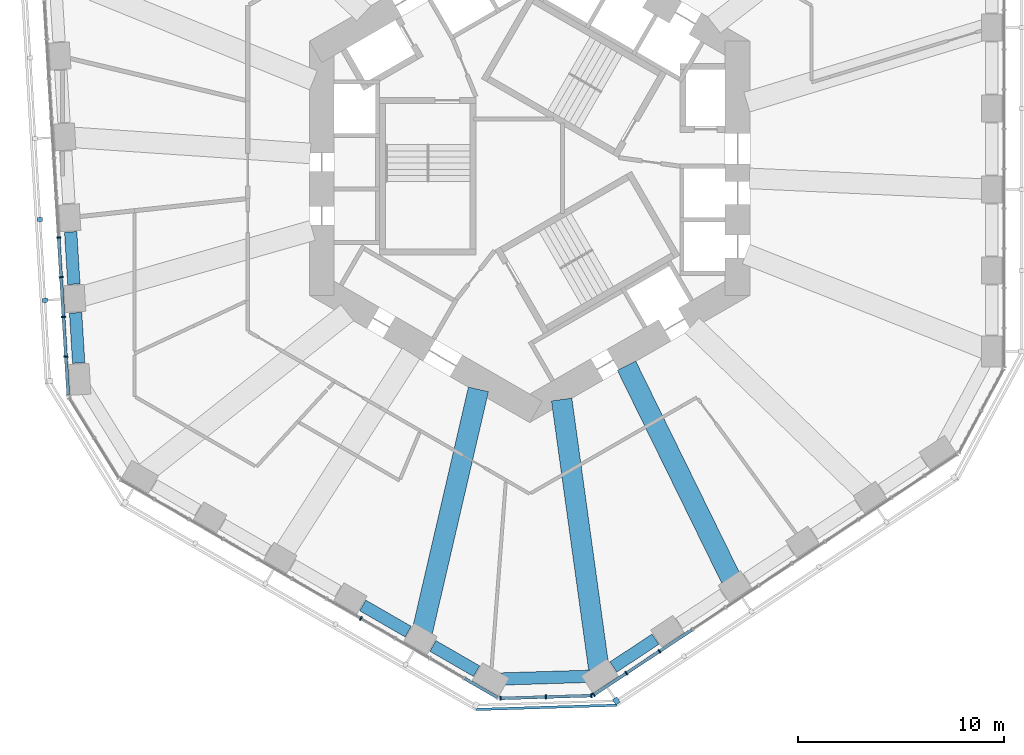
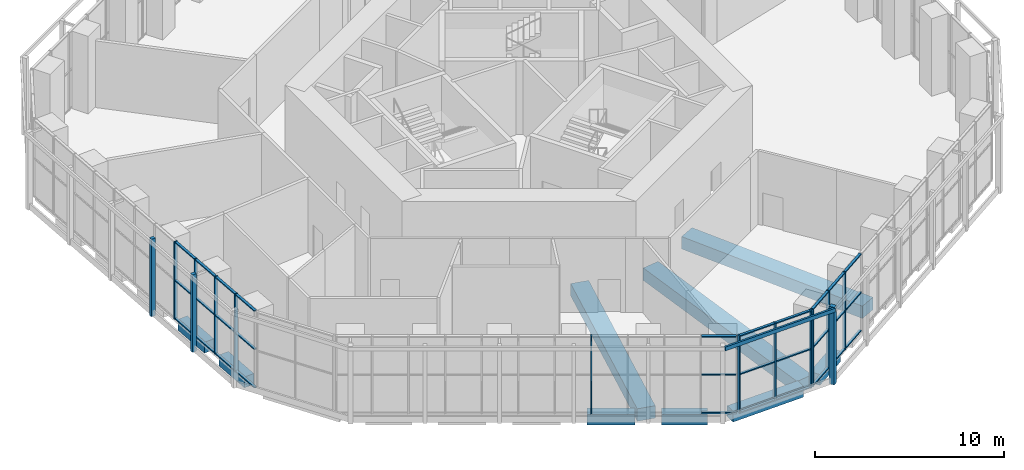
# One storey, part 3 of 19: 45 members, 9 beams, 7 elements without a shape of their own.
"""IFC4 building model written with IfcOpenShell, lengths in metres."""

from ifc_helpers import new_model, si_unit, direction, frame, origin, origin_2d, place, context, subcontext, project, spatial, rectangle, extrude, material, material_profile, profile_set, type_object, element, aggregate, save


model = new_model("IFC4")

# Units and contexts
model_context = context("Model", 3, precision=1e-05, world=origin(), true_north=direction((0.0, 1.0)))
body_context = subcontext(model_context, "Body", "Model", "MODEL_VIEW")
ifc_project = project(units=[si_unit("LENGTHUNIT", "METRE"), si_unit("AREAUNIT", "SQUARE_METRE"), si_unit("VOLUMEUNIT", "CUBIC_METRE"), si_unit("PLANEANGLEUNIT", "RADIAN"), si_unit("MASSUNIT", "GRAM", prefix="KILO")], contexts=[model_context])

# Site, building, storey
site_placement = place(None, origin())
site = spatial("IfcSite", under=ifc_project, at=site_placement, CompositionType="ELEMENT")
building_placement = place(site_placement, origin())
building = spatial("IfcBuilding", under=site, at=building_placement, Name="Vanh Sen Convention Tower", CompositionType="ELEMENT")
storey_placement = place(building_placement, frame((0.0, 0.0, 39.0)))
storey = spatial("IfcBuildingStorey", under=building, at=storey_placement, Name="L06", CompositionType="ELEMENT", Elevation=39.0)

# Curtain wall, members
ifc_material_1 = material(Name="Aluminium structural glazing system", Category="aluminium")
curtain_wall_type_1 = type_object("IfcCurtainWallType", Name="Hotel lobby structural glazing", PredefinedType="NOTDEFINED", material=ifc_material_1)
curtain_wall_1_placement = place(storey_placement, origin())
curtain_wall_1 = element("IfcCurtainWall", 1, at=curtain_wall_1_placement, inside=storey, type_object=curtain_wall_type_1, Name="Hotel lobby glazing W L06", PredefinedType="NOTDEFINED")
ifc_material_2 = material(Name="Aluminium mullion", Category="aluminium")
ifc_material_profile_1 = material_profile(ifc_material_2, rectangle(XDim=0.199951171875, YDim=0.070068359375, at=origin_2d()), Name="Lobby glazing mullion 70 x 200")
ifc_profile_set_1 = profile_set([ifc_material_profile_1], Name="Aluminium mullion")
member_type_1 = type_object("IfcMemberType", Name="Lobby glazing mullion 70 x 200", PredefinedType="MULLION", material=ifc_profile_set_1)
member_1_placement = place(storey_placement, frame((-22.887451171875, -3.3642578125, 0.0), z_axis=(0.0, 0.0, 1.0), x_axis=(0.99813494532, 0.06104613772, 0.0)))
member_1 = element("IfcMember", 2, at=member_1_placement, type_object=member_type_1, Name="CW2 mullion 8", PredefinedType="MULLION", context=body_context, shape_type="SweptSolid", body=[
    extrude(rectangle(XDim=0.199951171875, YDim=0.070068359375, at=origin_2d()), origin(), (0.0, 0.0, 1.0), 5.0),
])
member_2_placement = place(storey_placement, frame((-22.76953125, -5.292236328125, 0.0), z_axis=(0.0, 0.0, 1.0), x_axis=(0.99813494532, 0.06104613772, 0.0)))
member_2 = element("IfcMember", 3, at=member_2_placement, type_object=member_type_1, Name="CW2 mullion 9", PredefinedType="MULLION", context=body_context, shape_type="SweptSolid", body=[
    extrude(rectangle(XDim=0.199951171875, YDim=0.070068359375, at=origin_2d()), origin(), (0.0, 0.0, 1.0), 5.0),
])
member_3_placement = place(storey_placement, frame((-22.651611328125, -7.219970703125, 0.0), z_axis=(0.0, 0.0, 1.0), x_axis=(0.99813494532, 0.06104613772, 0.0)))
member_3 = element("IfcMember", 4, at=member_3_placement, type_object=member_type_1, Name="CW2 mullion 10", PredefinedType="MULLION", context=body_context, shape_type="SweptSolid", body=[
    extrude(rectangle(XDim=0.199951171875, YDim=0.070068359375, at=origin_2d()), origin(), (0.0, 0.0, 1.0), 5.0),
])
member_4_placement = place(storey_placement, frame((-22.53369140625, -9.14794921875, 0.0), z_axis=(0.0, 0.0, 1.0), x_axis=(0.99813494532, 0.06104613772, 0.0)))
member_4 = element("IfcMember", 5, at=member_4_placement, type_object=member_type_1, Name="CW2 mullion 11", PredefinedType="MULLION", context=body_context, shape_type="SweptSolid", body=[
    extrude(rectangle(XDim=0.199951171875, YDim=0.070068359375, at=origin_2d()), origin(), (0.0, 0.0, 1.0), 5.0),
])

# Curtain wall, member
curtain_wall_2_placement = place(storey_placement, origin())
curtain_wall_2 = element("IfcCurtainWall", 6, at=curtain_wall_2_placement, inside=storey, type_object=curtain_wall_type_1, Name="Hotel lobby glazing SW L06", PredefinedType="NOTDEFINED")
member_5_placement = place(storey_placement, frame((-8.205078125, -21.878662109375, 0.0), z_axis=(0.0, 0.0, 1.0), x_axis=(0.499997467254, 0.866026866061, 0.0)))
member_5 = element("IfcMember", 7, at=member_5_placement, type_object=member_type_1, Name="CW2 mullion 8", PredefinedType="MULLION", context=body_context, shape_type="SweptSolid", body=[
    extrude(rectangle(XDim=0.199951171875, YDim=0.070068359375, at=origin_2d()), origin(), (0.0, 0.0, 1.0), 5.0),
])

# Curtain wall, members
curtain_wall_3_placement = place(storey_placement, origin())
curtain_wall_3 = element("IfcCurtainWall", 8, at=curtain_wall_3_placement, inside=storey, type_object=curtain_wall_type_1, Name="Hotel lobby glazing CH5 L06", PredefinedType="NOTDEFINED")
member_6_placement = place(storey_placement, frame((-1.42626953125, -25.75390625, 0.0), z_axis=(0.0, 0.0, 1.0), x_axis=(-0.030529630207, 0.999533862197, 0.0)))
member_6 = element("IfcMember", 9, at=member_6_placement, type_object=member_type_1, Name="CW2 mullion 1", PredefinedType="MULLION", context=body_context, shape_type="SweptSolid", body=[
    extrude(rectangle(XDim=0.199951171875, YDim=0.070068359375, at=origin_2d()), origin(), (0.0, 0.0, 1.0), 5.0),
])
member_7_placement = place(storey_placement, frame((0.78466796875, -25.686279296875, 0.0), z_axis=(0.0, 0.0, 1.0), x_axis=(-0.030529630207, 0.999533862197, 0.0)))
member_7 = element("IfcMember", 10, at=member_7_placement, type_object=member_type_1, Name="CW2 mullion 2", PredefinedType="MULLION", context=body_context, shape_type="SweptSolid", body=[
    extrude(rectangle(XDim=0.199951171875, YDim=0.070068359375, at=origin_2d()), origin(), (0.0, 0.0, 1.0), 5.0),
])
member_8_placement = place(storey_placement, frame((2.99560546875, -25.61865234375, 0.0), z_axis=(0.0, 0.0, 1.0), x_axis=(-0.030529630207, 0.999533862197, 0.0)))
member_8 = element("IfcMember", 11, at=member_8_placement, type_object=member_type_1, Name="CW2 mullion 3", PredefinedType="MULLION", context=body_context, shape_type="SweptSolid", body=[
    extrude(rectangle(XDim=0.199951171875, YDim=0.070068359375, at=origin_2d()), origin(), (0.0, 0.0, 1.0), 5.0),
])

curtain_wall_4_placement = place(storey_placement, origin())
curtain_wall_4 = element("IfcCurtainWall", 12, at=curtain_wall_4_placement, inside=storey, type_object=curtain_wall_type_1, Name="Hotel lobby glazing SE L06", PredefinedType="NOTDEFINED")
member_9_placement = place(storey_placement, frame((3.112060546875, -25.581787109375, 0.0), z_axis=(0.0, 0.0, 1.0), x_axis=(-0.551937178066, 0.833885694486, 0.0)))
member_9 = element("IfcMember", 13, at=member_9_placement, type_object=member_type_1, Name="CW2 mullion 1", PredefinedType="MULLION", context=body_context, shape_type="SweptSolid", body=[
    extrude(rectangle(XDim=0.199951171875, YDim=0.070068359375, at=origin_2d()), origin(), (0.0, 0.0, 1.0), 5.0),
])
member_10_placement = place(storey_placement, frame((4.693603515625, -24.53515625, 0.0), z_axis=(0.0, 0.0, 1.0), x_axis=(-0.551937178066, 0.833885694486, 0.0)))
member_10 = element("IfcMember", 14, at=member_10_placement, type_object=member_type_1, Name="CW2 mullion 2", PredefinedType="MULLION", context=body_context, shape_type="SweptSolid", body=[
    extrude(rectangle(XDim=0.199951171875, YDim=0.070068359375, at=origin_2d()), origin(), (0.0, 0.0, 1.0), 5.0),
])
member_11_placement = place(storey_placement, frame((6.30419921875, -23.468994140625, 0.0), z_axis=(0.0, 0.0, 1.0), x_axis=(-0.551937178066, 0.833885694486, 0.0)))
member_11 = element("IfcMember", 15, at=member_11_placement, type_object=member_type_1, Name="CW2 mullion 3", PredefinedType="MULLION", context=body_context, shape_type="SweptSolid", body=[
    extrude(rectangle(XDim=0.199951171875, YDim=0.070068359375, at=origin_2d()), origin(), (0.0, 0.0, 1.0), 5.0),
])

# Member
ifc_material_3 = material(Name="Aluminium transom", Category="aluminium")
ifc_material_profile_2 = material_profile(ifc_material_3, rectangle(XDim=0.14990234375, YDim=0.070068359375, at=origin_2d()), Name="Lobby glazing transom 150 x 70")
ifc_profile_set_2 = profile_set([ifc_material_profile_2], Name="Aluminium transom")
member_type_2 = type_object("IfcMemberType", Name="Lobby glazing transom 150 x 70", PredefinedType="USERDEFINED", material=ifc_profile_set_2)
member_12_placement = place(storey_placement, frame((-22.88525390625, -3.399169921875, 0.034912109375), z_axis=(0.061112729676, -0.998130870313, 0.0), x_axis=(0.998130870313, 0.061112729676, 0.0)))
member_12 = element("IfcMember", 16, at=member_12_placement, type_object=member_type_2, Name="CW2 transom 8.1", ObjectType="TRANSOM", PredefinedType="USERDEFINED", context=body_context, shape_type="SweptSolid", body=[
    extrude(rectangle(XDim=0.14990234375, YDim=0.070068359375, at=origin_2d()), origin(), (0.0, 0.0, 1.0), 1.861572265625),
])

member_13_placement = place(storey_placement, frame((-22.88525390625, -3.399169921875, 2.5), z_axis=(0.061112729676, -0.998130870313, 0.0), x_axis=(0.998130870313, 0.061112729676, 0.0)))
member_13 = element("IfcMember", 17, at=member_13_placement, type_object=member_type_2, Name="CW2 transom 8.2", ObjectType="TRANSOM", PredefinedType="USERDEFINED", context=body_context, shape_type="SweptSolid", body=[
    extrude(rectangle(XDim=0.14990234375, YDim=0.070068359375, at=origin_2d()), origin(), (0.0, 0.0, 1.0), 1.861572265625),
])

member_14_placement = place(storey_placement, frame((-22.88525390625, -3.399169921875, 4.965087890625), z_axis=(0.061112729676, -0.998130870313, 0.0), x_axis=(0.998130870313, 0.061112729676, 0.0)))
member_14 = element("IfcMember", 18, at=member_14_placement, type_object=member_type_2, Name="CW2 transom 8.3", ObjectType="TRANSOM", PredefinedType="USERDEFINED", context=body_context, shape_type="SweptSolid", body=[
    extrude(rectangle(XDim=0.14990234375, YDim=0.070068359375, at=origin_2d()), origin(), (0.0, 0.0, 1.0), 1.861572265625),
])

member_15_placement = place(storey_placement, frame((-22.767333984375, -5.3271484375, 0.034912109375), z_axis=(0.06112073026, -0.998130380428, 0.0), x_axis=(0.998130380428, 0.06112073026, 0.0)))
member_15 = element("IfcMember", 19, at=member_15_placement, type_object=member_type_2, Name="CW2 transom 9.1", ObjectType="TRANSOM", PredefinedType="USERDEFINED", context=body_context, shape_type="SweptSolid", body=[
    extrude(rectangle(XDim=0.14990234375, YDim=0.070068359375, at=origin_2d()), origin(), (0.0, 0.0, 1.0), 1.861328125),
])

member_16_placement = place(storey_placement, frame((-22.767333984375, -5.3271484375, 2.5), z_axis=(0.06112073026, -0.998130380428, 0.0), x_axis=(0.998130380428, 0.06112073026, 0.0)))
member_16 = element("IfcMember", 20, at=member_16_placement, type_object=member_type_2, Name="CW2 transom 9.2", ObjectType="TRANSOM", PredefinedType="USERDEFINED", context=body_context, shape_type="SweptSolid", body=[
    extrude(rectangle(XDim=0.14990234375, YDim=0.070068359375, at=origin_2d()), origin(), (0.0, 0.0, 1.0), 1.861328125),
])

member_17_placement = place(storey_placement, frame((-22.767333984375, -5.3271484375, 4.965087890625), z_axis=(0.06112073026, -0.998130380428, 0.0), x_axis=(0.998130380428, 0.06112073026, 0.0)))
member_17 = element("IfcMember", 21, at=member_17_placement, type_object=member_type_2, Name="CW2 transom 9.3", ObjectType="TRANSOM", PredefinedType="USERDEFINED", context=body_context, shape_type="SweptSolid", body=[
    extrude(rectangle(XDim=0.14990234375, YDim=0.070068359375, at=origin_2d()), origin(), (0.0, 0.0, 1.0), 1.861328125),
])

member_18_placement = place(storey_placement, frame((-22.6494140625, -7.2548828125, 0.034912109375), z_axis=(0.061112729676, -0.998130870313, 0.0), x_axis=(0.998130870313, 0.061112729676, 0.0)))
member_18 = element("IfcMember", 22, at=member_18_placement, type_object=member_type_2, Name="CW2 transom 10.1", ObjectType="TRANSOM", PredefinedType="USERDEFINED", context=body_context, shape_type="SweptSolid", body=[
    extrude(rectangle(XDim=0.14990234375, YDim=0.070068359375, at=origin_2d()), origin(), (0.0, 0.0, 1.0), 1.861572265625),
])

member_19_placement = place(storey_placement, frame((-22.6494140625, -7.2548828125, 2.5), z_axis=(0.061112729676, -0.998130870313, 0.0), x_axis=(0.998130870313, 0.061112729676, 0.0)))
member_19 = element("IfcMember", 23, at=member_19_placement, type_object=member_type_2, Name="CW2 transom 10.2", ObjectType="TRANSOM", PredefinedType="USERDEFINED", context=body_context, shape_type="SweptSolid", body=[
    extrude(rectangle(XDim=0.14990234375, YDim=0.070068359375, at=origin_2d()), origin(), (0.0, 0.0, 1.0), 1.861572265625),
])

member_20_placement = place(storey_placement, frame((-22.6494140625, -7.2548828125, 4.965087890625), z_axis=(0.061112729676, -0.998130870313, 0.0), x_axis=(0.998130870313, 0.061112729676, 0.0)))
member_20 = element("IfcMember", 24, at=member_20_placement, type_object=member_type_2, Name="CW2 transom 10.3", ObjectType="TRANSOM", PredefinedType="USERDEFINED", context=body_context, shape_type="SweptSolid", body=[
    extrude(rectangle(XDim=0.14990234375, YDim=0.070068359375, at=origin_2d()), origin(), (0.0, 0.0, 1.0), 1.861572265625),
])

member_21_placement = place(storey_placement, frame((-22.531494140625, -9.182861328125, 0.034912109375), z_axis=(0.061088320688, -0.998132364507, 0.0), x_axis=(0.998132364507, 0.061088320688, 0.0)))
member_21 = element("IfcMember", 25, at=member_21_placement, type_object=member_type_2, Name="CW2 transom 11.1", ObjectType="TRANSOM", PredefinedType="USERDEFINED", context=body_context, shape_type="SweptSolid", body=[
    extrude(rectangle(XDim=0.14990234375, YDim=0.070068359375, at=origin_2d()), origin(), (0.0, 0.0, 1.0), 1.826416015625),
])

member_22_placement = place(storey_placement, frame((-22.531494140625, -9.182861328125, 2.5), z_axis=(0.061088320688, -0.998132364507, 0.0), x_axis=(0.998132364507, 0.061088320688, 0.0)))
member_22 = element("IfcMember", 26, at=member_22_placement, type_object=member_type_2, Name="CW2 transom 11.2", ObjectType="TRANSOM", PredefinedType="USERDEFINED", context=body_context, shape_type="SweptSolid", body=[
    extrude(rectangle(XDim=0.14990234375, YDim=0.070068359375, at=origin_2d()), origin(), (0.0, 0.0, 1.0), 1.826416015625),
])

member_23_placement = place(storey_placement, frame((-22.531494140625, -9.182861328125, 4.965087890625), z_axis=(0.061088320688, -0.998132364507, 0.0), x_axis=(0.998132364507, 0.061088320688, 0.0)))
member_23 = element("IfcMember", 27, at=member_23_placement, type_object=member_type_2, Name="CW2 transom 11.3", ObjectType="TRANSOM", PredefinedType="USERDEFINED", context=body_context, shape_type="SweptSolid", body=[
    extrude(rectangle(XDim=0.14990234375, YDim=0.070068359375, at=origin_2d()), origin(), (0.0, 0.0, 1.0), 1.826416015625),
])

aggregate(curtain_wall_1, [member_1, member_2, member_3, member_4, member_12, member_13, member_14, member_15, member_16, member_17, member_18, member_19, member_20, member_21, member_22, member_23])

member_24_placement = place(storey_placement, frame((-3.156494140625, -24.79345703125, 0.034912109375), z_axis=(0.866063163075, -0.499934593286, 0.0), x_axis=(0.499934593286, 0.866063163075, 0.0)))
member_24 = element("IfcMember", 28, at=member_24_placement, type_object=member_type_2, Name="CW2 transom 11.1", ObjectType="TRANSOM", PredefinedType="USERDEFINED", context=body_context, shape_type="SweptSolid", body=[
    extrude(rectangle(XDim=0.14990234375, YDim=0.070068359375, at=origin_2d()), origin(), (0.0, 0.0, 1.0), 1.826416015625),
])

member_25_placement = place(storey_placement, frame((-3.156494140625, -24.79345703125, 2.5), z_axis=(0.866063163075, -0.499934593286, 0.0), x_axis=(0.499934593286, 0.866063163075, 0.0)))
member_25 = element("IfcMember", 29, at=member_25_placement, type_object=member_type_2, Name="CW2 transom 11.2", ObjectType="TRANSOM", PredefinedType="USERDEFINED", context=body_context, shape_type="SweptSolid", body=[
    extrude(rectangle(XDim=0.14990234375, YDim=0.070068359375, at=origin_2d()), origin(), (0.0, 0.0, 1.0), 1.826416015625),
])

member_26_placement = place(storey_placement, frame((-3.156494140625, -24.79345703125, 4.965087890625), z_axis=(0.866063163075, -0.499934593286, 0.0), x_axis=(0.499934593286, 0.866063163075, 0.0)))
member_26 = element("IfcMember", 30, at=member_26_placement, type_object=member_type_2, Name="CW2 transom 11.3", ObjectType="TRANSOM", PredefinedType="USERDEFINED", context=body_context, shape_type="SweptSolid", body=[
    extrude(rectangle(XDim=0.14990234375, YDim=0.070068359375, at=origin_2d()), origin(), (0.0, 0.0, 1.0), 1.826416015625),
])

aggregate(curtain_wall_2, [member_5, member_24, member_25, member_26])

member_27_placement = place(storey_placement, frame((-1.39111328125, -25.752685546875, 0.034912109375), z_axis=(0.999533302641, 0.030547944476, 0.0), x_axis=(-0.030547944476, 0.999533302641, 0.0)))
member_27 = element("IfcMember", 31, at=member_27_placement, type_object=member_type_2, Name="CW2 transom 1.1", ObjectType="TRANSOM", PredefinedType="USERDEFINED", context=body_context, shape_type="SweptSolid", body=[
    extrude(rectangle(XDim=0.14990234375, YDim=0.070068359375, at=origin_2d()), origin(), (0.0, 0.0, 1.0), 2.141845703125),
])

member_28_placement = place(storey_placement, frame((-1.39111328125, -25.752685546875, 2.5), z_axis=(0.999533302641, 0.030547944476, 0.0), x_axis=(-0.030547944476, 0.999533302641, 0.0)))
member_28 = element("IfcMember", 32, at=member_28_placement, type_object=member_type_2, Name="CW2 transom 1.2", ObjectType="TRANSOM", PredefinedType="USERDEFINED", context=body_context, shape_type="SweptSolid", body=[
    extrude(rectangle(XDim=0.14990234375, YDim=0.070068359375, at=origin_2d()), origin(), (0.0, 0.0, 1.0), 2.141845703125),
])

member_29_placement = place(storey_placement, frame((-1.39111328125, -25.752685546875, 4.965087890625), z_axis=(0.999533302641, 0.030547944476, 0.0), x_axis=(-0.030547944476, 0.999533302641, 0.0)))
member_29 = element("IfcMember", 33, at=member_29_placement, type_object=member_type_2, Name="CW2 transom 1.3", ObjectType="TRANSOM", PredefinedType="USERDEFINED", context=body_context, shape_type="SweptSolid", body=[
    extrude(rectangle(XDim=0.14990234375, YDim=0.070068359375, at=origin_2d()), origin(), (0.0, 0.0, 1.0), 2.141845703125),
])

member_30_placement = place(storey_placement, frame((0.81982421875, -25.685302734375, 0.034912109375), z_axis=(0.999533302641, 0.030547944476, 0.0), x_axis=(-0.030547944476, 0.999533302641, 0.0)))
member_30 = element("IfcMember", 34, at=member_30_placement, type_object=member_type_2, Name="CW2 transom 2.1", ObjectType="TRANSOM", PredefinedType="USERDEFINED", context=body_context, shape_type="SweptSolid", body=[
    extrude(rectangle(XDim=0.14990234375, YDim=0.070068359375, at=origin_2d()), origin(), (0.0, 0.0, 1.0), 2.141845703125),
])

member_31_placement = place(storey_placement, frame((0.81982421875, -25.685302734375, 2.5), z_axis=(0.999533302641, 0.030547944476, 0.0), x_axis=(-0.030547944476, 0.999533302641, 0.0)))
member_31 = element("IfcMember", 35, at=member_31_placement, type_object=member_type_2, Name="CW2 transom 2.2", ObjectType="TRANSOM", PredefinedType="USERDEFINED", context=body_context, shape_type="SweptSolid", body=[
    extrude(rectangle(XDim=0.14990234375, YDim=0.070068359375, at=origin_2d()), origin(), (0.0, 0.0, 1.0), 2.141845703125),
])

member_32_placement = place(storey_placement, frame((0.81982421875, -25.685302734375, 4.965087890625), z_axis=(0.999533302641, 0.030547944476, 0.0), x_axis=(-0.030547944476, 0.999533302641, 0.0)))
member_32 = element("IfcMember", 36, at=member_32_placement, type_object=member_type_2, Name="CW2 transom 2.3", ObjectType="TRANSOM", PredefinedType="USERDEFINED", context=body_context, shape_type="SweptSolid", body=[
    extrude(rectangle(XDim=0.14990234375, YDim=0.070068359375, at=origin_2d()), origin(), (0.0, 0.0, 1.0), 2.141845703125),
])

aggregate(curtain_wall_3, [member_6, member_7, member_8, member_27, member_28, member_29, member_30, member_31, member_32])

member_33_placement = place(storey_placement, frame((3.141357421875, -25.5625, 0.034912109375), z_axis=(0.833876109018, 0.551951659848, 0.0), x_axis=(-0.551951659848, 0.833876109018, 0.0)))
member_33 = element("IfcMember", 37, at=member_33_placement, type_object=member_type_2, Name="CW2 transom 1.1", ObjectType="TRANSOM", PredefinedType="USERDEFINED", context=body_context, shape_type="SweptSolid", body=[
    extrude(rectangle(XDim=0.14990234375, YDim=0.070068359375, at=origin_2d()), origin(), (0.0, 0.0, 1.0), 1.826416015625),
])

member_34_placement = place(storey_placement, frame((3.141357421875, -25.5625, 2.5), z_axis=(0.833876109018, 0.551951659848, 0.0), x_axis=(-0.551951659848, 0.833876109018, 0.0)))
member_34 = element("IfcMember", 38, at=member_34_placement, type_object=member_type_2, Name="CW2 transom 1.2", ObjectType="TRANSOM", PredefinedType="USERDEFINED", context=body_context, shape_type="SweptSolid", body=[
    extrude(rectangle(XDim=0.14990234375, YDim=0.070068359375, at=origin_2d()), origin(), (0.0, 0.0, 1.0), 1.826416015625),
])

member_35_placement = place(storey_placement, frame((3.141357421875, -25.5625, 4.965087890625), z_axis=(0.833876109018, 0.551951659848, 0.0), x_axis=(-0.551951659848, 0.833876109018, 0.0)))
member_35 = element("IfcMember", 39, at=member_35_placement, type_object=member_type_2, Name="CW2 transom 1.3", ObjectType="TRANSOM", PredefinedType="USERDEFINED", context=body_context, shape_type="SweptSolid", body=[
    extrude(rectangle(XDim=0.14990234375, YDim=0.070068359375, at=origin_2d()), origin(), (0.0, 0.0, 1.0), 1.826416015625),
])

member_36_placement = place(storey_placement, frame((4.72265625, -24.515625, 0.034912109375), z_axis=(0.833902023759, 0.551912506445, 0.0), x_axis=(-0.551912506445, 0.833902023759, 0.0)))
member_36 = element("IfcMember", 40, at=member_36_placement, type_object=member_type_2, Name="CW2 transom 2.1", ObjectType="TRANSOM", PredefinedType="USERDEFINED", context=body_context, shape_type="SweptSolid", body=[
    extrude(rectangle(XDim=0.14990234375, YDim=0.070068359375, at=origin_2d()), origin(), (0.0, 0.0, 1.0), 1.861328125),
])

member_37_placement = place(storey_placement, frame((4.72265625, -24.515625, 2.5), z_axis=(0.833902023759, 0.551912506445, 0.0), x_axis=(-0.551912506445, 0.833902023759, 0.0)))
member_37 = element("IfcMember", 41, at=member_37_placement, type_object=member_type_2, Name="CW2 transom 2.2", ObjectType="TRANSOM", PredefinedType="USERDEFINED", context=body_context, shape_type="SweptSolid", body=[
    extrude(rectangle(XDim=0.14990234375, YDim=0.070068359375, at=origin_2d()), origin(), (0.0, 0.0, 1.0), 1.861328125),
])

member_38_placement = place(storey_placement, frame((4.72265625, -24.515625, 4.965087890625), z_axis=(0.833902023759, 0.551912506445, 0.0), x_axis=(-0.551912506445, 0.833902023759, 0.0)))
member_38 = element("IfcMember", 42, at=member_38_placement, type_object=member_type_2, Name="CW2 transom 2.3", ObjectType="TRANSOM", PredefinedType="USERDEFINED", context=body_context, shape_type="SweptSolid", body=[
    extrude(rectangle(XDim=0.14990234375, YDim=0.070068359375, at=origin_2d()), origin(), (0.0, 0.0, 1.0), 1.861328125),
])

member_39_placement = place(storey_placement, frame((6.333251953125, -23.44970703125, 0.034912109375), z_axis=(0.833902023759, 0.551912506445, 0.0), x_axis=(-0.551912506445, 0.833902023759, 0.0)))
member_39 = element("IfcMember", 43, at=member_39_placement, type_object=member_type_2, Name="CW2 transom 3.1", ObjectType="TRANSOM", PredefinedType="USERDEFINED", context=body_context, shape_type="SweptSolid", body=[
    extrude(rectangle(XDim=0.14990234375, YDim=0.070068359375, at=origin_2d()), origin(), (0.0, 0.0, 1.0), 1.861328125),
])

member_40_placement = place(storey_placement, frame((6.333251953125, -23.44970703125, 2.5), z_axis=(0.833902023759, 0.551912506445, 0.0), x_axis=(-0.551912506445, 0.833902023759, 0.0)))
member_40 = element("IfcMember", 44, at=member_40_placement, type_object=member_type_2, Name="CW2 transom 3.2", ObjectType="TRANSOM", PredefinedType="USERDEFINED", context=body_context, shape_type="SweptSolid", body=[
    extrude(rectangle(XDim=0.14990234375, YDim=0.070068359375, at=origin_2d()), origin(), (0.0, 0.0, 1.0), 1.861328125),
])

member_41_placement = place(storey_placement, frame((6.333251953125, -23.44970703125, 4.965087890625), z_axis=(0.833902023759, 0.551912506445, 0.0), x_axis=(-0.551912506445, 0.833902023759, 0.0)))
member_41 = element("IfcMember", 45, at=member_41_placement, type_object=member_type_2, Name="CW2 transom 3.3", ObjectType="TRANSOM", PredefinedType="USERDEFINED", context=body_context, shape_type="SweptSolid", body=[
    extrude(rectangle(XDim=0.14990234375, YDim=0.070068359375, at=origin_2d()), origin(), (0.0, 0.0, 1.0), 1.861328125),
])

aggregate(curtain_wall_4, [member_9, member_10, member_11, member_33, member_34, member_35, member_36, member_37, member_38, member_39, member_40, member_41])

# Curtain wall, member
ifc_material_4 = material(Name="Concrete C50/60", Category="concrete")
curtain_wall_type_2 = type_object("IfcCurtainWallType", Name="Outer skin hotel zone", PredefinedType="NOTDEFINED", material=ifc_material_4)
curtain_wall_5_placement = place(storey_placement, origin())
curtain_wall_5 = element("IfcCurtainWall", 46, at=curtain_wall_5_placement, inside=storey, type_object=curtain_wall_type_2, Name="OUTER SKIN SE L06", PredefinedType="NOTDEFINED")
ifc_material_profile_3 = material_profile(ifc_material_4, rectangle(XDim=0.25, YDim=0.300048828125, at=origin_2d()), Name="Outer skin precast corner fin 250 x 300")
ifc_profile_set_3 = profile_set([ifc_material_profile_3], Name="Concrete C50/60")
member_type_3 = type_object("IfcMemberType", Name="Outer skin precast corner fin 250 x 300", PredefinedType="MULLION", material=ifc_profile_set_3)
member_42_placement = place(storey_placement, frame((4.207275390625, -25.876220703125, 0.0), z_axis=(0.0, 0.0, 1.0), x_axis=(0.833885822067, 0.551936985312, 0.0)))
member_42 = element("IfcMember", 47, at=member_42_placement, type_object=member_type_3, Name="OUTER SKIN CORNER FIN 1 SE L06", PredefinedType="MULLION", context=body_context, shape_type="SweptSolid", body=[
    extrude(rectangle(XDim=0.25, YDim=0.300048828125, at=origin_2d()), origin(), (0.0, 0.0, 1.0), 5.0),
])
aggregate(curtain_wall_5, [member_42])

# Curtain wall, members
curtain_wall_6_placement = place(storey_placement, origin())
curtain_wall_6 = element("IfcCurtainWall", 48, at=curtain_wall_6_placement, inside=storey, type_object=curtain_wall_type_2, Name="OUTER SKIN W L06", PredefinedType="NOTDEFINED")
ifc_material_profile_4 = material_profile(ifc_material_4, rectangle(XDim=0.199951171875, YDim=0.25, at=origin_2d()), Name="Outer skin precast fin 200 x 250")
ifc_profile_set_4 = profile_set([ifc_material_profile_4], Name="Concrete C50/60")
member_type_4 = type_object("IfcMemberType", Name="Outer skin precast fin 200 x 250", PredefinedType="MULLION", material=ifc_profile_set_4)
member_43_placement = place(storey_placement, frame((-23.79248046875, -2.4873046875, 0.0), z_axis=(0.0, 0.0, 1.0), x_axis=(0.061048539535, -0.998134798422, 0.0)))
member_43 = element("IfcMember", 49, at=member_43_placement, type_object=member_type_4, Name="OUTER SKIN fin 4 W L06", PredefinedType="MULLION", context=body_context, shape_type="SweptSolid", body=[
    extrude(rectangle(XDim=0.199951171875, YDim=0.25, at=origin_2d()), origin(), (0.0, 0.0, 1.0), 5.0),
])
member_44_placement = place(storey_placement, frame((-23.55224609375, -6.414306640625, 0.0), z_axis=(0.0, 0.0, 1.0), x_axis=(0.061048539535, -0.998134798422, 0.0)))
member_44 = element("IfcMember", 50, at=member_44_placement, type_object=member_type_4, Name="OUTER SKIN fin 5 W L06", PredefinedType="MULLION", context=body_context, shape_type="SweptSolid", body=[
    extrude(rectangle(XDim=0.199951171875, YDim=0.25, at=origin_2d()), origin(), (0.0, 0.0, 1.0), 5.0),
])
aggregate(curtain_wall_6, [member_43, member_44])

# Curtain wall, member
curtain_wall_7_placement = place(storey_placement, origin())
curtain_wall_7 = element("IfcCurtainWall", 51, at=curtain_wall_7_placement, inside=storey, type_object=curtain_wall_type_2, Name="OUTER SKIN CH5 L06", PredefinedType="NOTDEFINED")
ifc_material_profile_5 = material_profile(ifc_material_4, rectangle(XDim=0.1201171875, YDim=0.25, at=origin_2d()), Name="Outer skin precast spandrel band 250 x 120")
ifc_profile_set_5 = profile_set([ifc_material_profile_5], Name="Concrete C50/60")
member_type_5 = type_object("IfcMemberType", Name="Outer skin precast spandrel band 250 x 120", PredefinedType="USERDEFINED", material=ifc_profile_set_5)
member_45_placement = place(storey_placement, frame((-2.61328125, -26.294677734375, 4.875), z_axis=(0.99953396928, 0.030526124156, 0.0), x_axis=(-0.030526124156, 0.99953396928, 0.0)))
member_45 = element("IfcMember", 52, at=member_45_placement, type_object=member_type_5, Name="OUTER SKIN spandrel band CH5 L06", ObjectType="TRANSOM", PredefinedType="USERDEFINED", context=body_context, shape_type="SweptSolid", body=[
    extrude(rectangle(XDim=0.1201171875, YDim=0.25, at=origin_2d()), origin(), (0.0, 0.0, 1.0), 6.830078125),
])
aggregate(curtain_wall_7, [member_45])

# Beams
ifc_material_5 = material(Name="Concrete C50/60", Category="concrete")
ifc_material_profile_6 = material_profile(ifc_material_5, rectangle(XDim=1.0, YDim=0.800048828125, at=origin_2d()), Name="RC 1000X800")
ifc_profile_set_6 = profile_set([ifc_material_profile_6], Name="Concrete C50/60")
beam_type_1 = type_object("IfcBeamType", Name="Radial floor beam 1000 x 800", PredefinedType="BEAM", material=ifc_profile_set_6)
beam_1_placement = place(storey_placement, frame((-5.219482421875, -22.505859375, -0.699951171875), z_axis=(0.225921069531, 0.974145610441, 0.0), x_axis=(-0.974145610441, 0.225921069531, 0.0)))
element("IfcBeam", 53, at=beam_1_placement, inside=storey, type_object=beam_type_1, Name="Radial beam 15 L06", PredefinedType="BEAM", context=body_context, shape_type="SweptSolid", body=[
    extrude(rectangle(XDim=1.0, YDim=0.800048828125, at=origin_2d()), origin(), (0.0, 0.0, 1.0), 12.0751953125),
])
beam_2_placement = place(storey_placement, frame((3.364501953125, -24.3603515625, -0.699951171875), z_axis=(-0.136807007089, 0.990597719971, 0.0), x_axis=(-0.990597719971, -0.136807007089, 0.0)))
element("IfcBeam", 54, at=beam_2_placement, inside=storey, type_object=beam_type_1, Name="Radial beam 16 L06", PredefinedType="BEAM", context=body_context, shape_type="SweptSolid", body=[
    extrude(rectangle(XDim=1.0, YDim=0.800048828125, at=origin_2d()), origin(), (0.0, 0.0, 1.0), 13.24853515625),
])
beam_3_placement = place(storey_placement, frame((9.777587890625, -19.933837890625, -0.699951171875), z_axis=(-0.440374700847, 0.897814080339, 0.0), x_axis=(-0.897814080339, -0.440374700847, 0.0)))
element("IfcBeam", 55, at=beam_3_placement, inside=storey, type_object=beam_type_1, Name="Radial beam 17 L06", PredefinedType="BEAM", context=body_context, shape_type="SweptSolid", body=[
    extrude(rectangle(XDim=1.0, YDim=0.800048828125, at=origin_2d()), origin(), (0.0, 0.0, 1.0), 11.516845703125),
])
ifc_material_profile_7 = material_profile(ifc_material_5, rectangle(XDim=0.60009765625, YDim=0.699951171875, at=origin_2d()), Name="RC 600X700")
ifc_profile_set_7 = profile_set([ifc_material_profile_7], Name="Concrete C50/60")
beam_type_2 = type_object("IfcBeamType", Name="Spandrel beam 600 x 700", PredefinedType="SPANDREL", material=ifc_profile_set_7)
beam_4_placement = place(storey_placement, frame((-22.302734375, -3.09228515625, -0.64990234375), z_axis=(0.061022277531, -0.998136404328, 0.0), x_axis=(0.998136404328, 0.061022277531, 0.0)))
element("IfcBeam", 56, at=beam_4_placement, inside=storey, type_object=beam_type_2, Name="Spandrel beam 22 L06", PredefinedType="SPANDREL", context=body_context, shape_type="SweptSolid", body=[
    extrude(rectangle(XDim=0.60009765625, YDim=0.699951171875, at=origin_2d()), origin(), (0.0, 0.0, 1.0), 2.54443359375),
])
beam_5_placement = place(storey_placement, frame((-22.0625, -7.01953125, -0.64990234375), z_axis=(0.061016663606, -0.998136747526, 0.0), x_axis=(0.998136747526, 0.061016663606, 0.0)))
element("IfcBeam", 57, at=beam_5_placement, inside=storey, type_object=beam_type_2, Name="Spandrel beam 23 L06", PredefinedType="SPANDREL", context=body_context, shape_type="SweptSolid", body=[
    extrude(rectangle(XDim=0.60009765625, YDim=0.699951171875, at=origin_2d()), origin(), (0.0, 0.0, 1.0), 2.44482421875),
])
beam_6_placement = place(storey_placement, frame((-8.107666015625, -21.241943359375, -0.64990234375), z_axis=(0.865990650555, -0.500060189529, 0.0), x_axis=(0.500060189529, 0.865990650555, 0.0)))
element("IfcBeam", 58, at=beam_6_placement, inside=storey, type_object=beam_type_2, Name="Spandrel beam 28 L06", PredefinedType="SPANDREL", context=body_context, shape_type="SweptSolid", body=[
    extrude(rectangle(XDim=0.60009765625, YDim=0.699951171875, at=origin_2d()), origin(), (0.0, 0.0, 1.0), 2.544677734375),
])
beam_7_placement = place(storey_placement, frame((-4.7001953125, -23.209228515625, -0.64990234375), z_axis=(0.865990985969, -0.500059608667, 0.0), x_axis=(0.500059608667, 0.865990985969, 0.0)))
element("IfcBeam", 59, at=beam_7_placement, inside=storey, type_object=beam_type_2, Name="Spandrel beam 29 L06", PredefinedType="SPANDREL", context=body_context, shape_type="SweptSolid", body=[
    extrude(rectangle(XDim=0.60009765625, YDim=0.699951171875, at=origin_2d()), origin(), (0.0, 0.0, 1.0), 2.444580078125),
])
beam_8_placement = place(storey_placement, frame((-1.4345703125, -24.81494140625, -0.64990234375), z_axis=(0.999534100542, 0.030521825872, 0.0), x_axis=(-0.030521825872, 0.999534100542, 0.0)))
element("IfcBeam", 60, at=beam_8_placement, inside=storey, type_object=beam_type_2, Name="Spandrel beam 30 L06", PredefinedType="SPANDREL", context=body_context, shape_type="SweptSolid", body=[
    extrude(rectangle(XDim=0.60009765625, YDim=0.699951171875, at=origin_2d()), origin(), (0.0, 0.0, 1.0), 4.38330078125),
])
beam_9_placement = place(storey_placement, frame((4.06982421875, -24.228271484375, -0.64990234375), z_axis=(0.833920038997, 0.551885285688, 0.0), x_axis=(-0.551885285688, 0.833920038997, 0.0)))
element("IfcBeam", 61, at=beam_9_placement, inside=storey, type_object=beam_type_2, Name="Spandrel beam 31 L06", PredefinedType="SPANDREL", context=body_context, shape_type="SweptSolid", body=[
    extrude(rectangle(XDim=0.60009765625, YDim=0.699951171875, at=origin_2d()), origin(), (0.0, 0.0, 1.0), 2.444580078125),
])

save(model, "model.ifc")
